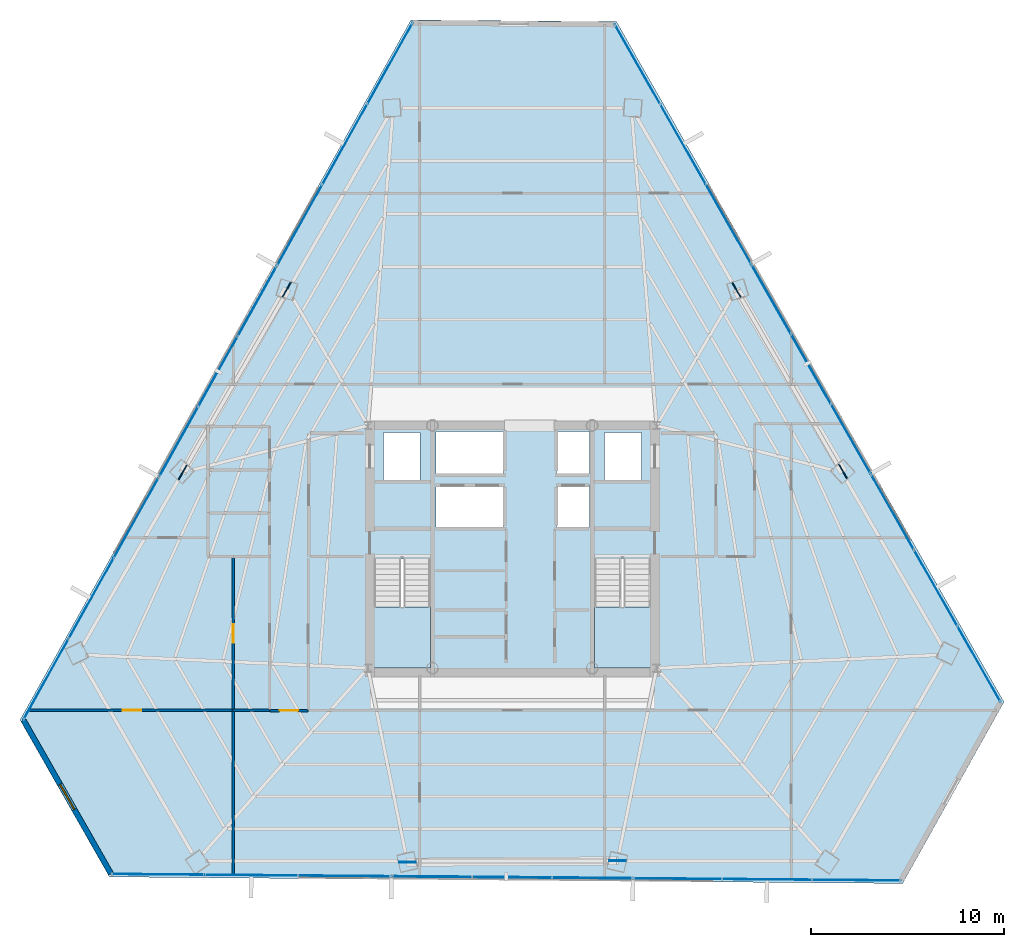
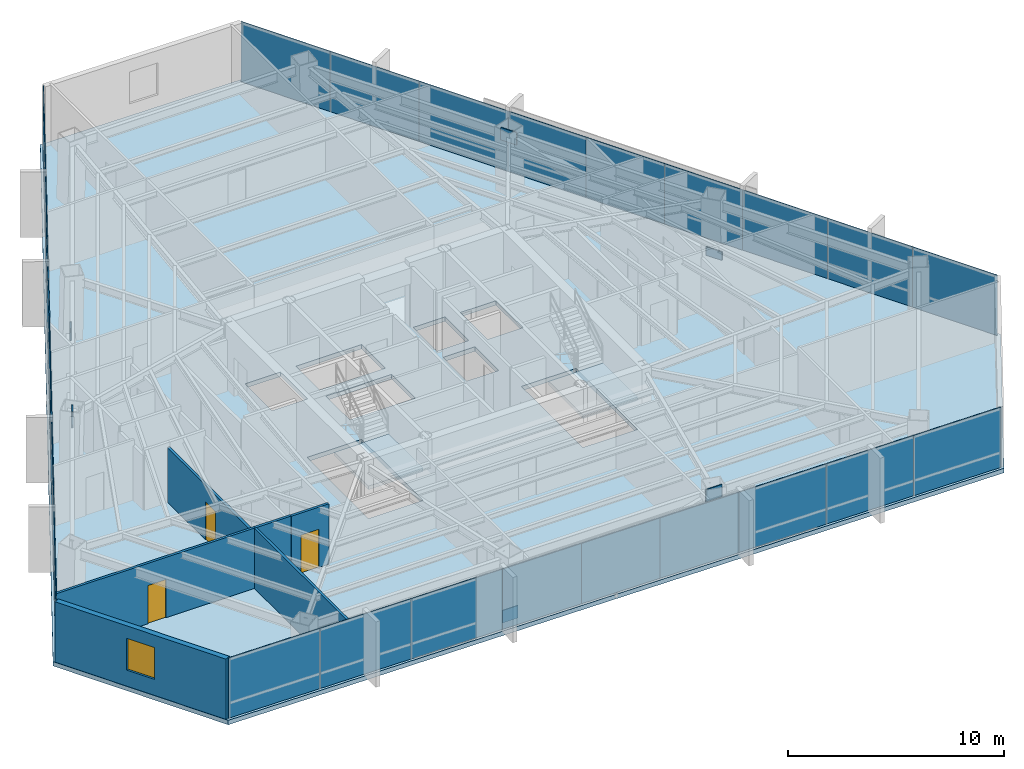
# One storey, part 32 of 38: 33 plates, 6 walls, 3 doors, 3 slabs, 1 window, 4 openings, 11 elements without a shape of their own.
"""IFC4 building model written with IfcOpenShell, lengths in metres."""

from ifc_helpers import new_model, si_unit, direction, frame, frame_2d, origin, origin_2d, place, context, subcontext, project, spatial, polyline, rectangle, outline, extrude, source, transform, mapped, material, layer, layer_set, type_object, type_shapes, element, fill, aggregate, save


model = new_model("IFC4")

# Units and contexts
model_context = context("Model", 3, precision=1e-05, world=origin(), true_north=direction((0.0, 1.0)))
body_context = subcontext(model_context, "Body", "Model", "MODEL_VIEW")
ifc_project = project(units=[si_unit("LENGTHUNIT", "METRE"), si_unit("AREAUNIT", "SQUARE_METRE"), si_unit("VOLUMEUNIT", "CUBIC_METRE"), si_unit("PLANEANGLEUNIT", "RADIAN"), si_unit("MASSUNIT", "GRAM", prefix="KILO")], contexts=[model_context])

# Site, building, storey
site_placement = place(None, origin())
site = spatial("IfcSite", under=ifc_project, at=site_placement, CompositionType="ELEMENT")
building_placement = place(site_placement, origin())
building = spatial("IfcBuilding", under=site, at=building_placement, Name="Caelisora Broadcast Tower", CompositionType="ELEMENT")
storey_placement = place(building_placement, frame((0.0, 0.0, 154.85009765625)))
storey = spatial("IfcBuildingStorey", under=building, at=storey_placement, Name="L40", CompositionType="ELEMENT", Elevation=154.85009765625)

# Slab
ifc_material_1 = material(Name="Concrete 40 MPa (AS 3600 N40)", Category="concrete")
ifc_layer_1 = layer(ifc_material_1, 0.25, Name="Concrete 40 MPa (AS 3600 N40)")
ifc_layer_set_1 = layer_set([ifc_layer_1], Name="Concrete 40 MPa (AS 3600 N40)")
slab_type_1 = type_object("IfcSlabType", Name="SL04", PredefinedType="FLOOR", material=ifc_layer_set_1)
slab_1_placement = place(storey_placement, frame((0.0, 0.0, -0.25)))
element("IfcSlab", 1, at=slab_1_placement, inside=storey, type_object=slab_type_1, Name="L40 suspended floor SL04", PredefinedType="FLOOR", context=body_context, shape_type="SweptSolid", body=[
    extrude(outline(polyline([(43.4169921875, 50.97509765625), (32.736083984375, 51.06396484375), (12.431884765625, 14.7119140625), (17.075927734375, 6.556884765625), (58.27490234375, 6.216064453125), (63.5390625, 15.639892578125), (43.4169921875, 50.97509765625)]), holes=[polyline([(30.820068359375, 17.39990234375), (33.739990234375, 17.39990234375), (33.739990234375, 23.080078125), (30.820068359375, 23.080078125), (30.820068359375, 17.39990234375)]), polyline([(42.260009765625, 17.39990234375), (45.179931640625, 17.39990234375), (45.179931640625, 23.080078125), (42.260009765625, 23.080078125), (42.260009765625, 17.39990234375)]), polyline([(42.800048828125, 27.14990234375), (44.699951171875, 27.14990234375), (44.699951171875, 29.64990234375), (42.800048828125, 29.64990234375), (42.800048828125, 27.14990234375)]), polyline([(40.300048828125, 24.719970703125), (42.0, 24.719970703125), (42.0, 26.919921875), (40.300048828125, 26.919921875), (40.300048828125, 24.719970703125)]), polyline([(40.300048828125, 27.5), (42.0, 27.5), (42.0, 29.699951171875), (40.300048828125, 29.699951171875), (40.300048828125, 27.5)]), polyline([(34.050048828125, 24.719970703125), (37.550048828125, 24.719970703125), (37.550048828125, 26.919921875), (34.050048828125, 26.919921875), (34.050048828125, 24.719970703125)]), polyline([(34.050048828125, 27.5), (37.550048828125, 27.5), (37.550048828125, 29.699951171875), (34.050048828125, 29.699951171875), (34.050048828125, 27.5)]), polyline([(31.300048828125, 27.14990234375), (33.199951171875, 27.14990234375), (33.199951171875, 29.64990234375), (31.300048828125, 29.64990234375), (31.300048828125, 27.14990234375)])]), origin(), (0.0, 0.0, 1.0), 0.25),
])

# Stair, slab
stair_type_1 = type_object("IfcStairType", Name="ST-1", PredefinedType="HALF_TURN_STAIR", material=ifc_material_1)
stair_1_placement = place(storey_placement, origin())
stair_1 = element("IfcStair", 2, at=stair_1_placement, inside=storey, type_object=stair_type_1, Name="L40 West Fire-Isolated Tower Stair", PredefinedType="HALF_TURN_STAIR")
ifc_layer_2 = layer(ifc_material_1, 0.199951171875, Name="Concrete 40 MPa (AS 3600 N40)")
ifc_layer_set_2 = layer_set([ifc_layer_2], Name="Concrete 40 MPa (AS 3600 N40)")
slab_type_2 = type_object("IfcSlabType", Name="STL-1", PredefinedType="LANDING", material=ifc_layer_set_2)
slab_2_placement = place(storey_placement, frame((0.0, 0.0, 1.625)))
slab_2 = element("IfcSlab", 3, at=slab_2_placement, type_object=slab_type_2, Name="ST-1 landing 1", PredefinedType="LANDING", context=body_context, shape_type="SweptSolid", body=[
    extrude(outline(polyline([(30.820068359375, 20.580078125), (30.820068359375, 17.39990234375), (33.739990234375, 17.39990234375), (33.739990234375, 20.580078125), (30.820068359375, 20.580078125)])), origin(), (0.0, 0.0, 1.0), 0.199951171875),
])
aggregate(stair_1, [slab_2])

stair_type_2 = type_object("IfcStairType", Name="ST-2", PredefinedType="HALF_TURN_STAIR", material=ifc_material_1)
stair_2_placement = place(storey_placement, origin())
stair_2 = element("IfcStair", 4, at=stair_2_placement, inside=storey, type_object=stair_type_2, Name="L40 East Fire-Isolated Tower Stair", PredefinedType="HALF_TURN_STAIR")
slab_3_placement = place(storey_placement, frame((0.0, 0.0, 1.625)))
slab_3 = element("IfcSlab", 5, at=slab_3_placement, type_object=slab_type_2, Name="ST-2 landing 1", PredefinedType="LANDING", context=body_context, shape_type="SweptSolid", body=[
    extrude(outline(polyline([(42.260009765625, 20.580078125), (42.260009765625, 17.39990234375), (45.179931640625, 17.39990234375), (45.179931640625, 20.580078125), (42.260009765625, 20.580078125)])), origin(), (0.0, 0.0, 1.0), 0.199951171875),
])
aggregate(stair_2, [slab_3])

# Plates
ifc_material_2 = material(Name="Steel Grade 350 L15 (AS/NZS 3678)", Category="steel")
ifc_layer_3 = layer(ifc_material_2, 0.050048828125, Name="Steel Grade 350 L15 (AS/NZS 3678)")
ifc_layer_set_3 = layer_set([ifc_layer_3], Name="Steel Grade 350 L15 (AS/NZS 3678)")
plate_type_1 = type_object("IfcPlateType", Name="GP03", PredefinedType="USERDEFINED", material=ifc_layer_set_3)
shared_shape_1 = source(origin(), body_context, "Body", "SweptSolid", [
    extrude(rectangle(XDim=0.85009765625, YDim=0.050048828125, at=origin_2d()), origin(), (0.0, 0.0, 1.0), 0.699951171875),
])
type_shapes(plate_type_1, [shared_shape_1])
for number, where, z_axis, x_axis, name in (
    (6, (26.279541015625, 37.05859375, -0.22998046875), (0.0, 0.0, 1.0), (-0.5, -0.866025403784, 0.0), "L40 gusset plate GP03 (ND-L40-C02B)"),
    (7, (20.88525390625, 27.57080078125, 2.72998046875), (0.0, 0.0, 1.0), (-0.5, -0.866025403784, 0.0), "L40 gusset plate GP03 (ND-L40-C03T)"),
    (8, (32.55126953125, 7.320556640625, -0.22998046875), (0.0, 0.0, 1.0), (1.0, 0.0, 0.0), "L40 gusset plate GP03 (ND-L40-C06B)"),
    (9, (43.465087890625, 7.392822265625, 2.72998046875), (0.0, 0.0, 1.0), (1.0, 0.0, 0.0), "L40 gusset plate GP03 (ND-L40-C07T)"),
    (10, (55.169189453125, 27.62109375, -0.22998046875), (0.0, 0.0, 1.0), (-0.5, 0.866025403784, 0.0), "L40 gusset plate GP03 (ND-L40-C10B)"),
    (11, (49.649658203125, 37.03662109375, 2.72998046875), (0.0, 0.0, 1.0), (-0.5, 0.866025403784, 0.0), "L40 gusset plate GP03 (ND-L40-C11T)"),
):
    element("IfcPlate", number, at=place(storey_placement, frame(where, z_axis=z_axis, x_axis=x_axis)), inside=storey, type_object=plate_type_1, Name=name, ObjectType="GUSSET PLATE", PredefinedType="USERDEFINED", context=body_context, shape_type="MappedRepresentation", body=[
        mapped(shared_shape_1, transform((0.0, 0.0, 0.0), scale=1.0)),
    ])

# Curtain wall, plates
ifc_material_3 = material(Name="Unitised Aluminium and Low-E Glass Curtain Wall", Category="glass")
curtain_wall_type_1 = type_object("IfcCurtainWallType", Name="CW-Z3", PredefinedType="NOTDEFINED", material=ifc_material_3)
curtain_wall_1_placement = place(storey_placement, origin())
curtain_wall_1 = element("IfcCurtainWall", 12, at=curtain_wall_1_placement, inside=storey, type_object=curtain_wall_type_1, Name="L40 curtain wall CW-Z3", PredefinedType="NOTDEFINED")
ifc_material_4 = material(Name="Double Glazed Low-E Argon IGU", Category="glass")
ifc_layer_4 = layer(ifc_material_4, 0.031982421875, Name="Double Glazed Low-E Argon IGU")
ifc_layer_set_4 = layer_set([ifc_layer_4], Name="Double Glazed Low-E Argon IGU")
plate_type_2 = type_object("IfcPlateType", Name="CWP-04", PredefinedType="CURTAIN_PANEL", material=ifc_layer_set_4)
shared_shape_2 = source(origin(), body_context, "Body", "SweptSolid", [
    extrude(rectangle(XDim=4.765380859375, YDim=0.031982421875, at=origin_2d()), origin(), (0.0, 0.0, 1.0), 3.39990234375),
])
plate_1_placement = place(storey_placement, frame((44.508056640625, 48.755615234375, 0.0), z_axis=(0.0, 0.0, 1.0), x_axis=(0.494852128545, -0.868977198133, 0.0)))
plate_1 = element("IfcPlate", 13, at=plate_1_placement, type_object=plate_type_2, Name="L40-CW-B01 glazed panel #1", PredefinedType="CURTAIN_PANEL", context=body_context, shape_type="MappedRepresentation", body=[
    mapped(shared_shape_2, transform((0.0, 0.0, 0.0), scale=1.0)),
])
plate_2_placement = place(storey_placement, frame((46.866455078125, 44.614501953125, 0.0), z_axis=(0.0, 0.0, 1.0), x_axis=(0.494852128545, -0.868977198133, 0.0)))
plate_2 = element("IfcPlate", 14, at=plate_2_placement, type_object=plate_type_2, Name="L40-CW-B01 glazed panel #2", PredefinedType="CURTAIN_PANEL", context=body_context, shape_type="MappedRepresentation", body=[
    mapped(shared_shape_2, transform((0.0, 0.0, 0.0), scale=1.0)),
])
plate_3_placement = place(storey_placement, frame((49.224609375, 40.473388671875, 0.0), z_axis=(0.0, 0.0, 1.0), x_axis=(0.494852128545, -0.868977198133, 0.0)))
plate_3 = element("IfcPlate", 15, at=plate_3_placement, type_object=plate_type_2, Name="L40-CW-B01 glazed panel #3", PredefinedType="CURTAIN_PANEL", context=body_context, shape_type="MappedRepresentation", body=[
    mapped(shared_shape_2, transform((0.0, 0.0, 0.0), scale=1.0)),
])
aggregate(curtain_wall_1, [plate_1, plate_2, plate_3])

ifc_material_5 = material(Name="Unitised Aluminium Insulated Shadow-Box Spandrel Curtain Wall", Category="aluminium")
curtain_wall_type_2 = type_object("IfcCurtainWallType", Name="CW-SP2", PredefinedType="NOTDEFINED", material=ifc_material_5)
curtain_wall_2_placement = place(storey_placement, origin())
curtain_wall_2 = element("IfcCurtainWall", 16, at=curtain_wall_2_placement, inside=storey, type_object=curtain_wall_type_2, Name="L40 curtain wall CW-SP2", PredefinedType="NOTDEFINED")
ifc_material_6 = material(Name="Insulated Terracotta Shadow-Box Spandrel Panel", Category="aluminium")
ifc_layer_5 = layer(ifc_material_6, 0.0439453125, Name="Insulated Terracotta Shadow-Box Spandrel Panel")
ifc_layer_set_5 = layer_set([ifc_layer_5], Name="Insulated Terracotta Shadow-Box Spandrel Panel")
plate_type_3 = type_object("IfcPlateType", Name="CWP-10", PredefinedType="CURTAIN_PANEL", material=ifc_layer_set_5)
shared_shape_3 = source(origin(), body_context, "Body", "SweptSolid", [
    extrude(rectangle(XDim=4.17919921875, YDim=0.0439453125, at=origin_2d()), origin(), (0.0, 0.0, 1.0), 3.39990234375),
])
plate_4_placement = place(storey_placement, frame((51.442626953125, 36.578369140625, 0.0), z_axis=(0.0, 0.0, 1.0), x_axis=(0.494852128545, -0.868977198133, 0.0)))
plate_4 = element("IfcPlate", 17, at=plate_4_placement, type_object=plate_type_3, Name="L40-CW-B02 spandrel panel #1", PredefinedType="CURTAIN_PANEL", context=body_context, shape_type="MappedRepresentation", body=[
    mapped(shared_shape_3, transform((0.0, 0.0, 0.0), scale=1.0)),
])
plate_5_placement = place(storey_placement, frame((53.5107421875, 32.94677734375, 0.0), z_axis=(0.0, 0.0, 1.0), x_axis=(0.494852128545, -0.868977198133, 0.0)))
plate_5 = element("IfcPlate", 18, at=plate_5_placement, type_object=plate_type_3, Name="L40-CW-B02 spandrel panel #2", PredefinedType="CURTAIN_PANEL", context=body_context, shape_type="MappedRepresentation", body=[
    mapped(shared_shape_3, transform((0.0, 0.0, 0.0), scale=1.0)),
])
plate_6_placement = place(storey_placement, frame((55.578857421875, 29.315185546875, 0.0), z_axis=(0.0, 0.0, 1.0), x_axis=(0.494852128545, -0.868977198133, 0.0)))
plate_6 = element("IfcPlate", 19, at=plate_6_placement, type_object=plate_type_3, Name="L40-CW-B02 spandrel panel #3", PredefinedType="CURTAIN_PANEL", context=body_context, shape_type="MappedRepresentation", body=[
    mapped(shared_shape_3, transform((0.0, 0.0, 0.0), scale=1.0)),
])
aggregate(curtain_wall_2, [plate_4, plate_5, plate_6])

curtain_wall_3_placement = place(storey_placement, origin())
curtain_wall_3 = element("IfcCurtainWall", 20, at=curtain_wall_3_placement, inside=storey, type_object=curtain_wall_type_1, Name="L40 curtain wall CW-Z3", PredefinedType="NOTDEFINED")
shared_shape_4 = source(origin(), body_context, "Body", "SweptSolid", [
    extrude(rectangle(XDim=4.54638671875, YDim=0.031982421875, at=origin_2d()), origin(), (0.0, 0.0, 1.0), 3.39990234375),
])
plate_7_placement = place(storey_placement, frame((57.74267578125, 25.515380859375, 0.0), z_axis=(0.0, 0.0, 1.0), x_axis=(0.494852128545, -0.868977198133, 0.0)))
plate_7 = element("IfcPlate", 21, at=plate_7_placement, type_object=plate_type_2, Name="L40-CW-B03 glazed panel #1", PredefinedType="CURTAIN_PANEL", context=body_context, shape_type="MappedRepresentation", body=[
    mapped(shared_shape_4, transform((0.0, 0.0, 0.0), scale=1.0)),
])
plate_8_placement = place(storey_placement, frame((59.992431640625, 21.56494140625, 0.0), z_axis=(0.0, 0.0, 1.0), x_axis=(0.494852128545, -0.868977198133, 0.0)))
plate_8 = element("IfcPlate", 22, at=plate_8_placement, type_object=plate_type_2, Name="L40-CW-B03 glazed panel #2", PredefinedType="CURTAIN_PANEL", context=body_context, shape_type="MappedRepresentation", body=[
    mapped(shared_shape_4, transform((0.0, 0.0, 0.0), scale=1.0)),
])
plate_9_placement = place(storey_placement, frame((62.2421875, 17.6142578125, 0.0), z_axis=(0.0, 0.0, 1.0), x_axis=(0.494852128545, -0.868977198133, 0.0)))
plate_9 = element("IfcPlate", 23, at=plate_9_placement, type_object=plate_type_2, Name="L40-CW-B03 glazed panel #3", PredefinedType="CURTAIN_PANEL", context=body_context, shape_type="MappedRepresentation", body=[
    mapped(shared_shape_4, transform((0.0, 0.0, 0.0), scale=1.0)),
])
aggregate(curtain_wall_3, [plate_7, plate_8, plate_9])

curtain_wall_4_placement = place(storey_placement, origin())
curtain_wall_4 = element("IfcCurtainWall", 24, at=curtain_wall_4_placement, inside=storey, type_object=curtain_wall_type_1, Name="L40 curtain wall CW-Z3", PredefinedType="NOTDEFINED")
shared_shape_5 = source(origin(), body_context, "Body", "SweptSolid", [
    extrude(rectangle(XDim=4.638671875, YDim=0.031982421875, at=origin_2d()), origin(), (0.0, 0.0, 1.0), 3.39990234375),
])
plate_10_placement = place(storey_placement, frame((55.867919921875, 6.38623046875, 0.0), z_axis=(0.0, 0.0, 1.0), x_axis=(-0.999966355195, 0.008202955488, 0.0)))
plate_10 = element("IfcPlate", 25, at=plate_10_placement, type_object=plate_type_2, Name="L40-CW-B05 glazed panel #1", PredefinedType="CURTAIN_PANEL", context=body_context, shape_type="MappedRepresentation", body=[
    mapped(shared_shape_5, transform((0.0, 0.0, 0.0), scale=1.0)),
])
plate_11_placement = place(storey_placement, frame((51.2294921875, 6.424560546875, 0.0), z_axis=(0.0, 0.0, 1.0), x_axis=(-0.999966355195, 0.008202955488, 0.0)))
plate_11 = element("IfcPlate", 26, at=plate_11_placement, type_object=plate_type_2, Name="L40-CW-B05 glazed panel #2", PredefinedType="CURTAIN_PANEL", context=body_context, shape_type="MappedRepresentation", body=[
    mapped(shared_shape_5, transform((0.0, 0.0, 0.0), scale=1.0)),
])
plate_12_placement = place(storey_placement, frame((46.591064453125, 6.462890625, 0.0), z_axis=(0.0, 0.0, 1.0), x_axis=(-0.999966355195, 0.008202955488, 0.0)))
plate_12 = element("IfcPlate", 27, at=plate_12_placement, type_object=plate_type_2, Name="L40-CW-B05 glazed panel #3", PredefinedType="CURTAIN_PANEL", context=body_context, shape_type="MappedRepresentation", body=[
    mapped(shared_shape_5, transform((0.0, 0.0, 0.0), scale=1.0)),
])
aggregate(curtain_wall_4, [plate_10, plate_11, plate_12])

curtain_wall_5_placement = place(storey_placement, origin())
curtain_wall_5 = element("IfcCurtainWall", 28, at=curtain_wall_5_placement, inside=storey, type_object=curtain_wall_type_2, Name="L40 curtain wall CW-SP2", PredefinedType="NOTDEFINED")
shared_shape_6 = source(origin(), body_context, "Body", "SweptSolid", [
    extrude(rectangle(XDim=4.178955078125, YDim=0.0439453125, at=origin_2d()), origin(), (0.0, 0.0, 1.0), 3.39990234375),
])
plate_13_placement = place(storey_placement, frame((42.17236328125, 6.499267578125, 0.0), z_axis=(0.0, 0.0, 1.0), x_axis=(-0.999966355195, 0.008202955488, 0.0)))
plate_13 = element("IfcPlate", 29, at=plate_13_placement, type_object=plate_type_3, Name="L40-CW-B06 spandrel panel #1", PredefinedType="CURTAIN_PANEL", context=body_context, shape_type="MappedRepresentation", body=[
    mapped(shared_shape_6, transform((0.0, 0.0, 0.0), scale=1.0)),
])
plate_14_placement = place(storey_placement, frame((37.993408203125, 6.533935546875, 0.0), z_axis=(0.0, 0.0, 1.0), x_axis=(-0.999966355195, 0.008202955488, 0.0)))
plate_14 = element("IfcPlate", 30, at=plate_14_placement, type_object=plate_type_3, Name="L40-CW-B06 spandrel panel #2", PredefinedType="CURTAIN_PANEL", context=body_context, shape_type="MappedRepresentation", body=[
    mapped(shared_shape_6, transform((0.0, 0.0, 0.0), scale=1.0)),
])
plate_15_placement = place(storey_placement, frame((33.814697265625, 6.568359375, 0.0), z_axis=(0.0, 0.0, 1.0), x_axis=(-0.999966355195, 0.008202955488, 0.0)))
plate_15 = element("IfcPlate", 31, at=plate_15_placement, type_object=plate_type_3, Name="L40-CW-B06 spandrel panel #3", PredefinedType="CURTAIN_PANEL", context=body_context, shape_type="MappedRepresentation", body=[
    mapped(shared_shape_6, transform((0.0, 0.0, 0.0), scale=1.0)),
])
aggregate(curtain_wall_5, [plate_13, plate_14, plate_15])

curtain_wall_6_placement = place(storey_placement, origin())
curtain_wall_6 = element("IfcCurtainWall", 32, at=curtain_wall_6_placement, inside=storey, type_object=curtain_wall_type_1, Name="L40 curtain wall CW-Z3", PredefinedType="NOTDEFINED")
shared_shape_7 = source(origin(), body_context, "Body", "SweptSolid", [
    extrude(rectangle(XDim=4.8505859375, YDim=0.031982421875, at=origin_2d()), origin(), (0.0, 0.0, 1.0), 3.39990234375),
])
plate_16_placement = place(storey_placement, frame((29.2900390625, 6.605712890625, 0.0), z_axis=(0.0, 0.0, 1.0), x_axis=(-0.999966355195, 0.008202955488, 0.0)))
plate_16 = element("IfcPlate", 33, at=plate_16_placement, type_object=plate_type_2, Name="L40-CW-B07 glazed panel #1", PredefinedType="CURTAIN_PANEL", context=body_context, shape_type="MappedRepresentation", body=[
    mapped(shared_shape_7, transform((0.0, 0.0, 0.0), scale=1.0)),
])
plate_17_placement = place(storey_placement, frame((24.439697265625, 6.64599609375, 0.0), z_axis=(0.0, 0.0, 1.0), x_axis=(-0.999966355195, 0.008202955488, 0.0)))
plate_17 = element("IfcPlate", 34, at=plate_17_placement, type_object=plate_type_2, Name="L40-CW-B07 glazed panel #2", PredefinedType="CURTAIN_PANEL", context=body_context, shape_type="MappedRepresentation", body=[
    mapped(shared_shape_7, transform((0.0, 0.0, 0.0), scale=1.0)),
])
plate_18_placement = place(storey_placement, frame((19.589111328125, 6.68603515625, 0.0), z_axis=(0.0, 0.0, 1.0), x_axis=(-0.999966355195, 0.008202955488, 0.0)))
plate_18 = element("IfcPlate", 35, at=plate_18_placement, type_object=plate_type_2, Name="L40-CW-B07 glazed panel #3", PredefinedType="CURTAIN_PANEL", context=body_context, shape_type="MappedRepresentation", body=[
    mapped(shared_shape_7, transform((0.0, 0.0, 0.0), scale=1.0)),
])
aggregate(curtain_wall_6, [plate_16, plate_17, plate_18])

curtain_wall_7_placement = place(storey_placement, origin())
curtain_wall_7 = element("IfcCurtainWall", 36, at=curtain_wall_7_placement, inside=storey, type_object=curtain_wall_type_1, Name="L40 curtain wall CW-Z3", PredefinedType="NOTDEFINED")
shared_shape_8 = source(origin(), body_context, "Body", "SweptSolid", [
    extrude(rectangle(XDim=4.81689453125, YDim=0.031982421875, at=origin_2d()), origin(), (0.0, 0.0, 1.0), 3.39990234375),
])
plate_19_placement = place(storey_placement, frame((13.778564453125, 16.815673828125, 0.0), z_axis=(0.0, 0.0, 1.0), x_axis=(0.487707298065, 0.873007211547, 0.0)))
plate_19 = element("IfcPlate", 37, at=plate_19_placement, type_object=plate_type_2, Name="L40-CW-B09 glazed panel #1", PredefinedType="CURTAIN_PANEL", context=body_context, shape_type="MappedRepresentation", body=[
    mapped(shared_shape_8, transform((0.0, 0.0, 0.0), scale=1.0)),
])
plate_20_placement = place(storey_placement, frame((16.12744140625, 21.02099609375, 0.0), z_axis=(0.0, 0.0, 1.0), x_axis=(0.487707298065, 0.873007211547, 0.0)))
plate_20 = element("IfcPlate", 38, at=plate_20_placement, type_object=plate_type_2, Name="L40-CW-B09 glazed panel #2", PredefinedType="CURTAIN_PANEL", context=body_context, shape_type="MappedRepresentation", body=[
    mapped(shared_shape_8, transform((0.0, 0.0, 0.0), scale=1.0)),
])
plate_21_placement = place(storey_placement, frame((18.4765625, 25.2265625, 0.0), z_axis=(0.0, 0.0, 1.0), x_axis=(0.487707298065, 0.873007211547, 0.0)))
plate_21 = element("IfcPlate", 39, at=plate_21_placement, type_object=plate_type_2, Name="L40-CW-B09 glazed panel #3", PredefinedType="CURTAIN_PANEL", context=body_context, shape_type="MappedRepresentation", body=[
    mapped(shared_shape_8, transform((0.0, 0.0, 0.0), scale=1.0)),
])
aggregate(curtain_wall_7, [plate_19, plate_20, plate_21])

curtain_wall_8_placement = place(storey_placement, origin())
curtain_wall_8 = element("IfcCurtainWall", 40, at=curtain_wall_8_placement, inside=storey, type_object=curtain_wall_type_2, Name="L40 curtain wall CW-SP2", PredefinedType="NOTDEFINED")
shared_shape_9 = source(origin(), body_context, "Body", "SweptSolid", [
    extrude(rectangle(XDim=4.1787109375, YDim=0.0439453125, at=origin_2d()), origin(), (0.0, 0.0, 1.0), 3.39990234375),
])
type_shapes(plate_type_3, [shared_shape_3, shared_shape_6, shared_shape_9])
plate_22_placement = place(storey_placement, frame((20.6748046875, 29.162109375, 0.0), z_axis=(0.0, 0.0, 1.0), x_axis=(0.487707298065, 0.873007211547, 0.0)))
plate_22 = element("IfcPlate", 41, at=plate_22_placement, type_object=plate_type_3, Name="L40-CW-B10 spandrel panel #1", PredefinedType="CURTAIN_PANEL", context=body_context, shape_type="MappedRepresentation", body=[
    mapped(shared_shape_9, transform((0.0, 0.0, 0.0), scale=1.0)),
])
plate_23_placement = place(storey_placement, frame((22.71240234375, 32.810302734375, 0.0), z_axis=(0.0, 0.0, 1.0), x_axis=(0.487707298065, 0.873007211547, 0.0)))
plate_23 = element("IfcPlate", 42, at=plate_23_placement, type_object=plate_type_3, Name="L40-CW-B10 spandrel panel #2", PredefinedType="CURTAIN_PANEL", context=body_context, shape_type="MappedRepresentation", body=[
    mapped(shared_shape_9, transform((0.0, 0.0, 0.0), scale=1.0)),
])
plate_24_placement = place(storey_placement, frame((24.750244140625, 36.45849609375, 0.0), z_axis=(0.0, 0.0, 1.0), x_axis=(0.487707298065, 0.873007211547, 0.0)))
plate_24 = element("IfcPlate", 43, at=plate_24_placement, type_object=plate_type_3, Name="L40-CW-B10 spandrel panel #3", PredefinedType="CURTAIN_PANEL", context=body_context, shape_type="MappedRepresentation", body=[
    mapped(shared_shape_9, transform((0.0, 0.0, 0.0), scale=1.0)),
])
aggregate(curtain_wall_8, [plate_22, plate_23, plate_24])

curtain_wall_9_placement = place(storey_placement, origin())
curtain_wall_9 = element("IfcCurtainWall", 44, at=curtain_wall_9_placement, inside=storey, type_object=curtain_wall_type_1, Name="L40 curtain wall CW-Z3", PredefinedType="NOTDEFINED")
shared_shape_10 = source(origin(), body_context, "Body", "SweptSolid", [
    extrude(rectangle(XDim=4.819091796875, YDim=0.031982421875, at=origin_2d()), origin(), (0.0, 0.0, 1.0), 3.39990234375),
])
type_shapes(plate_type_2, [shared_shape_2, shared_shape_4, shared_shape_5, shared_shape_7, shared_shape_8, shared_shape_10])
plate_25_placement = place(storey_placement, frame((26.94921875, 40.39501953125, 0.0), z_axis=(0.0, 0.0, 1.0), x_axis=(0.487707298065, 0.873007211547, 0.0)))
plate_25 = element("IfcPlate", 45, at=plate_25_placement, type_object=plate_type_2, Name="L40-CW-B11 glazed panel #1", PredefinedType="CURTAIN_PANEL", context=body_context, shape_type="MappedRepresentation", body=[
    mapped(shared_shape_10, transform((0.0, 0.0, 0.0), scale=1.0)),
])
plate_26_placement = place(storey_placement, frame((29.299072265625, 44.602294921875, 0.0), z_axis=(0.0, 0.0, 1.0), x_axis=(0.487707298065, 0.873007211547, 0.0)))
plate_26 = element("IfcPlate", 46, at=plate_26_placement, type_object=plate_type_2, Name="L40-CW-B11 glazed panel #2", PredefinedType="CURTAIN_PANEL", context=body_context, shape_type="MappedRepresentation", body=[
    mapped(shared_shape_10, transform((0.0, 0.0, 0.0), scale=1.0)),
])
plate_27_placement = place(storey_placement, frame((31.64892578125, 48.809326171875, 0.0), z_axis=(0.0, 0.0, 1.0), x_axis=(0.487707298065, 0.873007211547, 0.0)))
plate_27 = element("IfcPlate", 47, at=plate_27_placement, type_object=plate_type_2, Name="L40-CW-B11 glazed panel #3", PredefinedType="CURTAIN_PANEL", context=body_context, shape_type="MappedRepresentation", body=[
    mapped(shared_shape_10, transform((0.0, 0.0, 0.0), scale=1.0)),
])
aggregate(curtain_wall_9, [plate_25, plate_26, plate_27])

# Wall, opening, window
ifc_material_7 = material(Name="Insulated Terracotta Spandrel Wall System", Category="masonry")
ifc_layer_6 = layer(ifc_material_7, 0.280029296875, Name="Insulated Terracotta Spandrel Wall System")
ifc_layer_set_6 = layer_set([ifc_layer_6], Name="Insulated Terracotta Spandrel Wall System")
wall_type_1 = type_object("IfcWallType", Name="EW1", PredefinedType="STANDARD", material=ifc_layer_set_6)
wall_1_placement = place(storey_placement, frame((17.149169921875, 6.732177734375, 0.0), z_axis=(0.0, 0.0, 1.0), x_axis=(-0.494874700437, 0.868964343841, 0.0)))
wall_1 = element("IfcWall", 48, at=wall_1_placement, inside=storey, type_object=wall_type_1, Name="L40 exterior envelope wall EW1", PredefinedType="STANDARD", context=body_context, shape_type="SweptSolid", body=[
    extrude(rectangle(XDim=9.154296875, YDim=0.280029296875, at=frame_2d((4.5771484375, 0.0))), origin(), (0.0, 0.0, 1.0), 3.39990234375),
])
opening_1_placement = place(wall_1_placement, frame((3.830078125, 0.0, 0.89990234375)))
opening_1 = element("IfcOpeningElement", 49, at=opening_1_placement, cuts=wall_1, Name="Opening W02", PredefinedType="OPENING", context=body_context, shape_type="SweptSolid", body=[
    extrude(rectangle(XDim=1.5, YDim=1.800048828125, at=frame_2d((0.75, 0.89990234375))), frame((0.0, 0.152099609375, 0.0), z_axis=(0.0, -1.0, 0.0), x_axis=(1.0, 0.0, 0.0)), (0.0, 0.0, 1.0), 0.303955078125),
])
ifc_material_8 = material(Name="Double Glazed Terracotta-Framed Vision Window", Category="glass")
window_type = type_object("IfcWindowType", Name="W02", PartitioningType="SINGLE_PANEL", PredefinedType="WINDOW", material=ifc_material_8)
window_placement = place(opening_1_placement, origin())
window = element("IfcWindow", 50, at=window_placement, inside=storey, type_object=window_type, Name="L40 window W02 (L40-WN-CH4)", OverallHeight=1.800048828125, OverallWidth=1.5, PartitioningType="SINGLE_PANEL", PredefinedType="WINDOW", context=body_context, shape_type="SweptSolid", body=[
    extrude(rectangle(XDim=1.5, YDim=1.800048828125, at=frame_2d((0.75, 0.89990234375))), frame((0.0, 0.030029296875, 0.0), z_axis=(0.0, -1.0, 0.0), x_axis=(1.0, 0.0, 0.0)), (0.0, 0.0, 1.0), 0.06005859375),
])
fill(opening_1, window)

# Wall, opening, door
ifc_material_9 = material(Name="Acoustic Steel-Stud Plasterboard Partition", Category="gypsum")
ifc_layer_7 = layer(ifc_material_9, 0.1298828125, Name="Acoustic Steel-Stud Plasterboard Partition")
ifc_layer_set_7 = layer_set([ifc_layer_7], Name="Acoustic Steel-Stud Plasterboard Partition")
wall_type_2 = type_object("IfcWallType", Name="PW3", PredefinedType="PARTITIONING", material=ifc_layer_set_7)
wall_2_placement = place(storey_placement, frame((12.8818359375, 15.219970703125, 0.0), z_axis=(0.0, 0.0, 1.0), x_axis=(1.0, 0.0, 0.0)))
wall_2 = element("IfcWall", 51, at=wall_2_placement, inside=storey, type_object=wall_type_2, Name="L40 internal partition PW3", PredefinedType="PARTITIONING", context=body_context, shape_type="SweptSolid", body=[
    extrude(rectangle(XDim=10.61328125, YDim=0.1298828125, at=frame_2d((5.306640625, 0.0))), origin(), (0.0, 0.0, 1.0), 3.39990234375),
])
opening_2_placement = place(wall_2_placement, frame((4.883056640625, 0.0, 0.0)))
opening_2 = element("IfcOpeningElement", 52, at=opening_2_placement, cuts=wall_2, Name="Opening D01", PredefinedType="OPENING", context=body_context, shape_type="SweptSolid", body=[
    extrude(rectangle(XDim=0.9599609375, YDim=2.14990234375, at=frame_2d((0.47998046875, 1.074951171875))), frame((0.0, 0.076904296875, 0.0), z_axis=(0.0, -1.0, 0.0), x_axis=(1.0, 0.0, 0.0)), (0.0, 0.0, 1.0), 0.15380859375),
])
ifc_material_10 = material(Name="Solid-Core Timber Acoustic Office Door", Category="wood")
door_type = type_object("IfcDoorType", Name="D01", OperationType="NOTDEFINED", PredefinedType="DOOR", material=ifc_material_10)
door_1_placement = place(opening_2_placement, origin())
door_1 = element("IfcDoor", 53, at=door_1_placement, inside=storey, type_object=door_type, Name="L40 door D01 (L40-DR-P31D1)", OperationType="SINGLE_SWING_LEFT", OverallHeight=2.14990234375, OverallWidth=0.9599609375, PredefinedType="DOOR", context=body_context, shape_type="SweptSolid", body=[
    extrude(rectangle(XDim=0.9599609375, YDim=2.14990234375, at=frame_2d((0.47998046875, 1.074951171875))), frame((0.0, 0.02490234375, 0.0), z_axis=(0.0, -1.0, 0.0), x_axis=(1.0, 0.0, 0.0)), (0.0, 0.0, 1.0), 0.050048828125),
])
fill(opening_2, door_1)

# Wall
wall_3_placement = place(storey_placement, frame((23.5, 6.648681640625, 0.0), z_axis=(0.0, 0.0, 1.0), x_axis=(0.0, 1.0, 0.0)))
element("IfcWall", 54, at=wall_3_placement, inside=storey, type_object=wall_type_2, Name="L40 internal partition PW3", PredefinedType="PARTITIONING", context=body_context, shape_type="SweptSolid", body=[
    extrude(rectangle(XDim=8.56640625, YDim=0.1298828125, at=frame_2d((4.283203125, 0.0))), origin(), (0.0, 0.0, 1.0), 3.39990234375),
])

# Wall, opening, door
wall_4_placement = place(storey_placement, frame((23.5, 15.22509765625, 0.0), z_axis=(0.0, 0.0, 1.0), x_axis=(0.0, 1.0, 0.0)))
wall_4 = element("IfcWall", 55, at=wall_4_placement, inside=storey, type_object=wall_type_2, Name="L40 internal partition PW3", PredefinedType="PARTITIONING", context=body_context, shape_type="SweptSolid", body=[
    extrude(rectangle(XDim=7.969970703125, YDim=0.1298828125, at=frame_2d((3.98486328125, 0.0))), origin(), (0.0, 0.0, 1.0), 3.07763671875),
])
opening_3_placement = place(wall_4_placement, frame((3.5048828125, 0.0, 0.0)))
opening_3 = element("IfcOpeningElement", 56, at=opening_3_placement, cuts=wall_4, Name="Opening D01", PredefinedType="OPENING", context=body_context, shape_type="SweptSolid", body=[
    extrude(rectangle(XDim=0.9599609375, YDim=2.14990234375, at=frame_2d((0.47998046875, 1.074951171875))), frame((0.0, 0.076904296875, 0.0), z_axis=(0.0, -1.0, 0.0), x_axis=(1.0, 0.0, 0.0)), (0.0, 0.0, 1.0), 0.15380859375),
])
door_2_placement = place(opening_3_placement, origin())
door_2 = element("IfcDoor", 57, at=door_2_placement, inside=storey, type_object=door_type, Name="L40 door D01 (L40-DR-P50D1)", OperationType="SINGLE_SWING_LEFT", OverallHeight=2.14990234375, OverallWidth=0.9599609375, PredefinedType="DOOR", context=body_context, shape_type="SweptSolid", body=[
    extrude(rectangle(XDim=0.9599609375, YDim=2.14990234375, at=frame_2d((0.47998046875, 1.074951171875))), frame((0.0, 0.02490234375, 0.0), z_axis=(0.0, -1.0, 0.0), x_axis=(1.0, 0.0, 0.0)), (0.0, 0.0, 1.0), 0.050048828125),
])
fill(opening_3, door_2)

wall_5_placement = place(storey_placement, frame((25.405029296875, 15.199951171875, 0.0), z_axis=(0.0, 0.0, 1.0), x_axis=(1.0, 0.0, 0.0)))
wall_5 = element("IfcWall", 58, at=wall_5_placement, inside=storey, type_object=wall_type_2, Name="L40 internal partition PW3", PredefinedType="PARTITIONING", context=body_context, shape_type="SweptSolid", body=[
    extrude(rectangle(XDim=1.989990234375, YDim=0.1298828125, at=frame_2d((0.9951171875, 0.0))), origin(), (0.0, 0.0, 1.0), 3.39990234375),
])
opening_4_placement = place(wall_5_placement, frame((0.514892578125, 0.0, 0.0)))
opening_4 = element("IfcOpeningElement", 59, at=opening_4_placement, cuts=wall_5, Name="Opening D01", PredefinedType="OPENING", context=body_context, shape_type="SweptSolid", body=[
    extrude(rectangle(XDim=0.9599609375, YDim=2.14990234375, at=frame_2d((0.47998046875, 1.074951171875))), frame((0.0, 0.076904296875, 0.0), z_axis=(0.0, -1.0, 0.0), x_axis=(1.0, 0.0, 0.0)), (0.0, 0.0, 1.0), 0.15380859375),
])
door_3_placement = place(opening_4_placement, origin())
door_3 = element("IfcDoor", 60, at=door_3_placement, inside=storey, type_object=door_type, Name="L40 door D01 (L40-DR-P64D1)", OperationType="SINGLE_SWING_RIGHT", OverallHeight=2.14990234375, OverallWidth=0.9599609375, PredefinedType="DOOR", context=body_context, shape_type="SweptSolid", body=[
    extrude(rectangle(XDim=0.9599609375, YDim=2.14990234375, at=frame_2d((0.47998046875, 1.074951171875))), frame((0.0, 0.02490234375, 0.0), z_axis=(0.0, -1.0, 0.0), x_axis=(1.0, 0.0, 0.0)), (0.0, 0.0, 1.0), 0.050048828125),
])
fill(opening_4, door_3)

# Wall
wall_6_placement = place(storey_placement, frame((23.5048828125, 15.219970703125, 0.0), z_axis=(0.0, 0.0, 1.0), x_axis=(1.0, 0.0, 0.0)))
element("IfcWall", 61, at=wall_6_placement, inside=storey, type_object=wall_type_2, Name="L40 internal partition PW3", PredefinedType="PARTITIONING", context=body_context, shape_type="SweptSolid", body=[
    extrude(rectangle(XDim=1.89013671875, YDim=0.1298828125, at=frame_2d((0.945068359375, 0.0))), origin(), (0.0, 0.0, 1.0), 3.39990234375),
])

save(model, "model.ifc")
